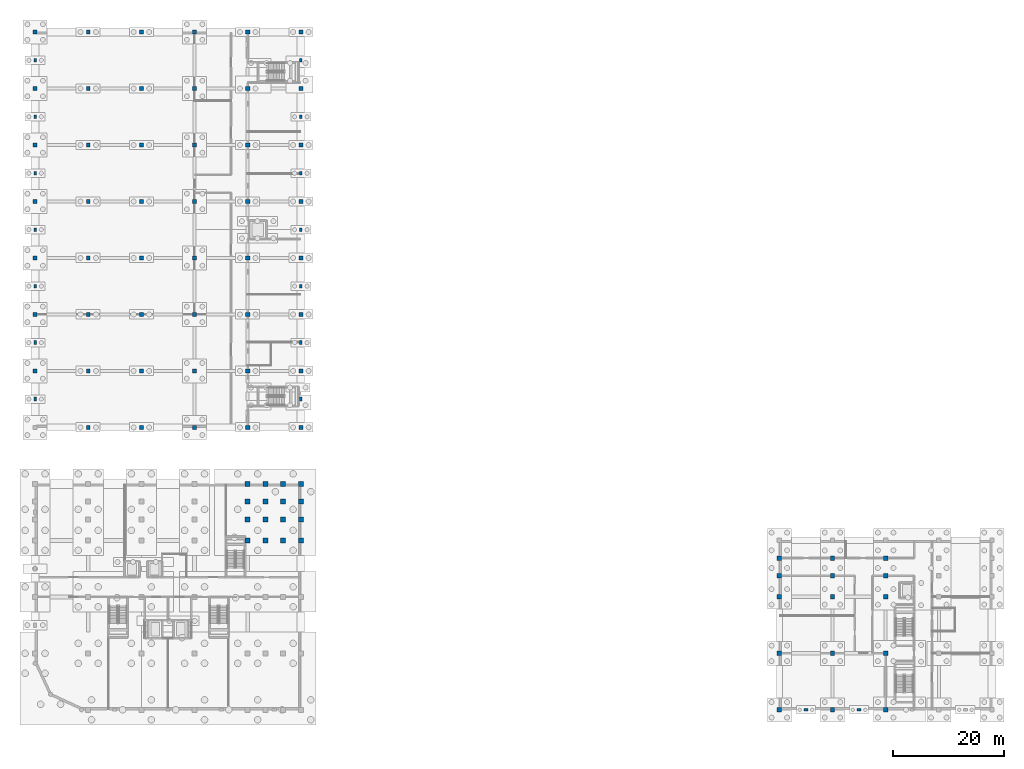
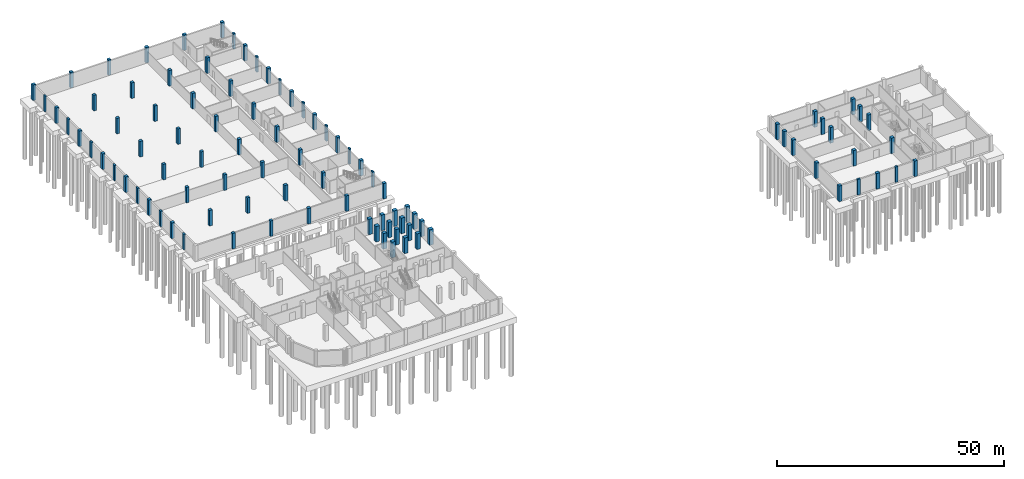
# One storey, part 6 of 18: 94 columns.
"""IFC4 building model written with IfcOpenShell, lengths in metres."""

from ifc_helpers import new_model, si_unit, direction, frame, origin, origin_2d, place, context, subcontext, project, spatial, rectangle, extrude, material, material_profile, profile_set, type_object, element, save


model = new_model("IFC4")

# Units and contexts
model_context = context("Model", 3, precision=1e-05, world=origin(), true_north=direction((0.0, 1.0)))
body_context = subcontext(model_context, "Body", "Model", "MODEL_VIEW")
ifc_project = project(units=[si_unit("LENGTHUNIT", "METRE"), si_unit("AREAUNIT", "SQUARE_METRE"), si_unit("VOLUMEUNIT", "CUBIC_METRE"), si_unit("PLANEANGLEUNIT", "RADIAN"), si_unit("MASSUNIT", "GRAM", prefix="KILO")], contexts=[model_context])

# Site, building, storey
site_placement = place(None, origin())
site = spatial("IfcSite", under=ifc_project, at=site_placement, CompositionType="ELEMENT")
building_placement = place(site_placement, origin())
building = spatial("IfcBuilding", under=site, at=building_placement, Name="Vondelvale Polytechnic", CompositionType="ELEMENT")
storey_placement = place(building_placement, frame((0.0, 0.0, -4.199951171875)))
storey = spatial("IfcBuildingStorey", under=building, at=storey_placement, Name="B1", CompositionType="ELEMENT", Elevation=-4.199951171875)

# Columns
ifc_material = material(Name="Concrete N50 (f'c = 50 MPa)", Category="concrete")
ifc_material_profile_1 = material_profile(ifc_material, rectangle(XDim=0.699951171875, YDim=0.699951171875, at=origin_2d()), Name="RC-COL-700x700")
ifc_profile_set_1 = profile_set([ifc_material_profile_1], Name="Concrete N50 (f'c = 50 MPa)")
column_type_1 = type_object("IfcColumnType", Name="COL-RC700", PredefinedType="COLUMN", material=ifc_profile_set_1)
for number, where, z_axis, x_axis, name in (
    (1, (9.60009765625, 51.0, 0.0), (0.0, 0.0, 1.0), (1.0, 0.0, 0.0), "B1 workshop sub-column (9.6,51.0)"),
    (2, (19.199951171875, 51.0, 0.0), (0.0, 0.0, 1.0), (1.0, 0.0, 0.0), "B1 workshop sub-column (19.2,51.0)"),
    (3, (9.60009765625, 61.199951171875, 0.0), (0.0, 0.0, 1.0), (1.0, 0.0, 0.0), "B1 workshop sub-column (9.6,61.2)"),
    (4, (19.199951171875, 61.199951171875, 0.0), (0.0, 0.0, 1.0), (1.0, 0.0, 0.0), "B1 workshop sub-column (19.2,61.2)"),
    (5, (9.60009765625, 71.39990234375, 0.0), (0.0, 0.0, 1.0), (1.0, 0.0, 0.0), "B1 workshop sub-column (9.6,71.4)"),
    (6, (19.199951171875, 71.39990234375, 0.0), (0.0, 0.0, 1.0), (1.0, 0.0, 0.0), "B1 workshop sub-column (19.2,71.4)"),
    (7, (9.60009765625, 81.60009765625, 0.0), (0.0, 0.0, 1.0), (1.0, 0.0, 0.0), "B1 workshop sub-column (9.6,81.6)"),
    (8, (19.199951171875, 81.60009765625, 0.0), (0.0, 0.0, 1.0), (1.0, 0.0, 0.0), "B1 workshop sub-column (19.2,81.6)"),
    (9, (9.60009765625, 91.800048828125, 0.0), (0.0, 0.0, 1.0), (1.0, 0.0, 0.0), "B1 workshop sub-column (9.6,91.8)"),
    (10, (19.199951171875, 91.800048828125, 0.0), (0.0, 0.0, 1.0), (1.0, 0.0, 0.0), "B1 workshop sub-column (19.2,91.8)"),
    (11, (9.60009765625, 102.0, 0.0), (0.0, 0.0, 1.0), (1.0, 0.0, 0.0), "B1 workshop sub-column (9.6,102.0)"),
    (12, (19.199951171875, 102.0, 0.0), (0.0, 0.0, 1.0), (1.0, 0.0, 0.0), "B1 workshop sub-column (19.2,102.0)"),
    (13, (9.60009765625, 112.199951171875, 0.0), (0.0, 0.0, 1.0), (1.0, 0.0, 0.0), "B1 workshop sub-column (9.6,112.2)"),
    (14, (19.199951171875, 112.199951171875, 0.0), (0.0, 0.0, 1.0), (1.0, 0.0, 0.0), "B1 workshop sub-column (19.2,112.2)"),
    (15, (9.60009765625, 122.39990234375, 0.0), (0.0, 0.0, 1.0), (1.0, 0.0, 0.0), "B1 workshop sub-column (9.6,122.4)"),
    (16, (19.199951171875, 122.39990234375, 0.0), (0.0, 0.0, 1.0), (1.0, 0.0, 0.0), "B1 workshop sub-column (19.2,122.4)"),
):
    element("IfcColumn", number, at=place(storey_placement, frame(where, z_axis=z_axis, x_axis=x_axis)), inside=storey, type_object=column_type_1, Name=name, PredefinedType="COLUMN", context=body_context, shape_type="SweptSolid", body=[
        extrude(rectangle(XDim=0.699951171875, YDim=0.699951171875, at=origin_2d()), origin(), (0.0, 0.0, 1.0), 4.199951171875),
    ])
ifc_material_profile_2 = material_profile(ifc_material, rectangle(XDim=0.75, YDim=0.75, at=origin_2d()), Name="RC-COL-750x750")
ifc_profile_set_2 = profile_set([ifc_material_profile_2], Name="Concrete N50 (f'c = 50 MPa)")
column_type_2 = type_object("IfcColumnType", Name="COL-RC750", PredefinedType="COLUMN", material=ifc_profile_set_2)
for number, where, z_axis, x_axis, name in (
    (17, (28.800048828125, 51.0, 0.0), (0.0, 0.0, 1.0), (1.0, 0.0, 0.0), "B1 workshop column (28.8,51.0)"),
    (18, (38.39990234375, 51.0, 0.0), (0.0, 0.0, 1.0), (1.0, 0.0, 0.0), "B1 workshop column (38.4,51.0)"),
    (19, (48.0, 51.0, 0.0), (0.0, 0.0, 1.0), (1.0, 0.0, 0.0), "B1 workshop column (48.0,51.0)"),
    (20, (0.0, 61.199951171875, 0.0), (0.0, 0.0, 1.0), (1.0, 0.0, 0.0), "B1 workshop column (0.0,61.2)"),
    (21, (28.800048828125, 61.199951171875, 0.0), (0.0, 0.0, 1.0), (1.0, 0.0, 0.0), "B1 workshop column (28.8,61.2)"),
    (22, (38.39990234375, 61.199951171875, 0.0), (0.0, 0.0, 1.0), (1.0, 0.0, 0.0), "B1 workshop column (38.4,61.2)"),
    (23, (48.0, 61.199951171875, 0.0), (0.0, 0.0, 1.0), (1.0, 0.0, 0.0), "B1 workshop column (48.0,61.2)"),
    (24, (0.0, 71.39990234375, 0.0), (0.0, 0.0, 1.0), (1.0, 0.0, 0.0), "B1 workshop column (0.0,71.4)"),
    (25, (28.800048828125, 71.39990234375, 0.0), (0.0, 0.0, 1.0), (1.0, 0.0, 0.0), "B1 workshop column (28.8,71.4)"),
    (26, (38.39990234375, 71.39990234375, 0.0), (0.0, 0.0, 1.0), (1.0, 0.0, 0.0), "B1 workshop column (38.4,71.4)"),
    (27, (48.0, 71.39990234375, 0.0), (0.0, 0.0, 1.0), (1.0, 0.0, 0.0), "B1 workshop column (48.0,71.4)"),
    (28, (0.0, 81.60009765625, 0.0), (0.0, 0.0, 1.0), (1.0, 0.0, 0.0), "B1 workshop column (0.0,81.6)"),
    (29, (28.800048828125, 81.60009765625, 0.0), (0.0, 0.0, 1.0), (1.0, 0.0, 0.0), "B1 workshop column (28.8,81.6)"),
    (30, (38.39990234375, 81.60009765625, 0.0), (0.0, 0.0, 1.0), (1.0, 0.0, 0.0), "B1 workshop column (38.4,81.6)"),
    (31, (48.0, 81.60009765625, 0.0), (0.0, 0.0, 1.0), (1.0, 0.0, 0.0), "B1 workshop column (48.0,81.6)"),
    (32, (0.0, 91.800048828125, 0.0), (0.0, 0.0, 1.0), (1.0, 0.0, 0.0), "B1 workshop column (0.0,91.8)"),
    (33, (28.800048828125, 91.800048828125, 0.0), (0.0, 0.0, 1.0), (1.0, 0.0, 0.0), "B1 workshop column (28.8,91.8)"),
    (34, (38.39990234375, 91.800048828125, 0.0), (0.0, 0.0, 1.0), (1.0, 0.0, 0.0), "B1 workshop column (38.4,91.8)"),
    (35, (48.0, 91.800048828125, 0.0), (0.0, 0.0, 1.0), (1.0, 0.0, 0.0), "B1 workshop column (48.0,91.8)"),
    (36, (0.0, 102.0, 0.0), (0.0, 0.0, 1.0), (1.0, 0.0, 0.0), "B1 workshop column (0.0,102.0)"),
    (37, (28.800048828125, 102.0, 0.0), (0.0, 0.0, 1.0), (1.0, 0.0, 0.0), "B1 workshop column (28.8,102.0)"),
    (38, (38.39990234375, 102.0, 0.0), (0.0, 0.0, 1.0), (1.0, 0.0, 0.0), "B1 workshop column (38.4,102.0)"),
    (39, (48.0, 102.0, 0.0), (0.0, 0.0, 1.0), (1.0, 0.0, 0.0), "B1 workshop column (48.0,102.0)"),
    (40, (0.0, 112.199951171875, 0.0), (0.0, 0.0, 1.0), (1.0, 0.0, 0.0), "B1 workshop column (0.0,112.2)"),
    (41, (28.800048828125, 112.199951171875, 0.0), (0.0, 0.0, 1.0), (1.0, 0.0, 0.0), "B1 workshop column (28.8,112.2)"),
    (42, (38.39990234375, 112.199951171875, 0.0), (0.0, 0.0, 1.0), (1.0, 0.0, 0.0), "B1 workshop column (38.4,112.2)"),
    (43, (48.0, 112.199951171875, 0.0), (0.0, 0.0, 1.0), (1.0, 0.0, 0.0), "B1 workshop column (48.0,112.2)"),
    (44, (0.0, 122.39990234375, 0.0), (0.0, 0.0, 1.0), (1.0, 0.0, 0.0), "B1 workshop column (0.0,122.4)"),
    (45, (28.800048828125, 122.39990234375, 0.0), (0.0, 0.0, 1.0), (1.0, 0.0, 0.0), "B1 workshop column (28.8,122.4)"),
    (46, (38.39990234375, 122.39990234375, 0.0), (0.0, 0.0, 1.0), (1.0, 0.0, 0.0), "B1 workshop column (38.4,122.4)"),
    (47, (48.0, 122.39990234375, 0.0), (0.0, 0.0, 1.0), (1.0, 0.0, 0.0), "B1 workshop column (48.0,122.4)"),
):
    element("IfcColumn", number, at=place(storey_placement, frame(where, z_axis=z_axis, x_axis=x_axis)), inside=storey, type_object=column_type_2, Name=name, PredefinedType="COLUMN", context=body_context, shape_type="SweptSolid", body=[
        extrude(rectangle(XDim=0.75, YDim=0.75, at=origin_2d()), origin(), (0.0, 0.0, 1.0), 4.199951171875),
    ])
ifc_material_profile_3 = material_profile(ifc_material, rectangle(XDim=0.800048828125, YDim=0.800048828125, at=origin_2d()), Name="RC-COL-800x800")
ifc_profile_set_3 = profile_set([ifc_material_profile_3], Name="Concrete N50 (f'c = 50 MPa)")
column_type_3 = type_object("IfcColumnType", Name="COL-RC800", PredefinedType="COLUMN", material=ifc_profile_set_3)
for number, where, z_axis, x_axis, name in (
    (48, (134.39990234375, 0.0, 0.0), (0.0, 0.0, 1.0), (1.0, 0.0, 0.0), "B1 lecture wing column (134.4,0.0)"),
    (49, (134.39990234375, 10.199951171875, 0.0), (0.0, 0.0, 1.0), (1.0, 0.0, 0.0), "B1 lecture wing column (134.4,10.2)"),
    (50, (134.39990234375, 20.39990234375, 0.0), (0.0, 0.0, 1.0), (1.0, 0.0, 0.0), "B1 lecture wing column (134.4,20.4)"),
    (51, (134.39990234375, 24.199951171875, 0.0), (0.0, 0.0, 1.0), (1.0, 0.0, 0.0), "B1 lecture wing column (134.4,24.2)"),
    (52, (134.39990234375, 27.39990234375, 0.0), (0.0, 0.0, 1.0), (1.0, 0.0, 0.0), "B1 lecture wing column (134.4,27.4)"),
    (53, (144.0, 0.0, 0.0), (0.0, 0.0, 1.0), (1.0, 0.0, 0.0), "B1 lecture wing column (144.0,0.0)"),
    (54, (144.0, 10.199951171875, 0.0), (0.0, 0.0, 1.0), (1.0, 0.0, 0.0), "B1 lecture wing column (144.0,10.2)"),
    (55, (144.0, 20.39990234375, 0.0), (0.0, 0.0, 1.0), (1.0, 0.0, 0.0), "B1 lecture wing column (144.0,20.4)"),
    (56, (144.0, 24.199951171875, 0.0), (0.0, 0.0, 1.0), (1.0, 0.0, 0.0), "B1 lecture wing column (144.0,24.2)"),
    (57, (144.0, 27.39990234375, 0.0), (0.0, 0.0, 1.0), (1.0, 0.0, 0.0), "B1 lecture wing column (144.0,27.4)"),
    (58, (153.60009765625, 0.0, 0.0), (0.0, 0.0, 1.0), (1.0, 0.0, 0.0), "B1 lecture wing column (153.6,0.0)"),
    (59, (153.60009765625, 10.199951171875, 0.0), (0.0, 0.0, 1.0), (1.0, 0.0, 0.0), "B1 lecture wing column (153.6,10.2)"),
    (60, (153.60009765625, 20.39990234375, 0.0), (0.0, 0.0, 1.0), (1.0, 0.0, 0.0), "B1 lecture wing column (153.6,20.4)"),
    (61, (153.60009765625, 24.199951171875, 0.0), (0.0, 0.0, 1.0), (1.0, 0.0, 0.0), "B1 lecture wing column (153.6,24.2)"),
    (62, (153.60009765625, 27.39990234375, 0.0), (0.0, 0.0, 1.0), (1.0, 0.0, 0.0), "B1 lecture wing column (153.6,27.4)"),
):
    element("IfcColumn", number, at=place(storey_placement, frame(where, z_axis=z_axis, x_axis=x_axis)), inside=storey, type_object=column_type_3, Name=name, PredefinedType="COLUMN", context=body_context, shape_type="SweptSolid", body=[
        extrude(rectangle(XDim=0.800048828125, YDim=0.800048828125, at=origin_2d()), origin(), (0.0, 0.0, 1.0), 4.199951171875),
    ])
ifc_material_profile_4 = material_profile(ifc_material, rectangle(XDim=0.89990234375, YDim=0.89990234375, at=origin_2d()), Name="RC-COL-900x900")
ifc_profile_set_4 = profile_set([ifc_material_profile_4], Name="Concrete N50 (f'c = 50 MPa)")
column_type_4 = type_object("IfcColumnType", Name="COL-RC900", PredefinedType="COLUMN", material=ifc_profile_set_4)
for number, where, z_axis, x_axis, name in (
    (63, (38.39990234375, 30.60009765625, 0.0), (0.0, 0.0, 1.0), (1.0, 0.0, 0.0), "B1 corner wing column (38.4,30.6)"),
    (64, (38.39990234375, 34.39990234375, 0.0), (0.0, 0.0, 1.0), (1.0, 0.0, 0.0), "B1 corner wing column (38.4,34.4)"),
    (65, (38.39990234375, 37.60009765625, 0.0), (0.0, 0.0, 1.0), (1.0, 0.0, 0.0), "B1 corner wing column (38.4,37.6)"),
    (66, (38.39990234375, 40.800048828125, 0.0), (0.0, 0.0, 1.0), (1.0, 0.0, 0.0), "B1 corner wing column (38.4,40.8)"),
    (67, (41.60009765625, 30.60009765625, 0.0), (0.0, 0.0, 1.0), (1.0, 0.0, 0.0), "B1 corner wing column (41.6,30.6)"),
    (68, (41.60009765625, 34.39990234375, 0.0), (0.0, 0.0, 1.0), (1.0, 0.0, 0.0), "B1 corner wing column (41.6,34.4)"),
    (69, (41.60009765625, 37.60009765625, 0.0), (0.0, 0.0, 1.0), (1.0, 0.0, 0.0), "B1 corner wing column (41.6,37.6)"),
    (70, (41.60009765625, 40.800048828125, 0.0), (0.0, 0.0, 1.0), (1.0, 0.0, 0.0), "B1 corner wing column (41.6,40.8)"),
    (71, (44.800048828125, 30.60009765625, 0.0), (0.0, 0.0, 1.0), (1.0, 0.0, 0.0), "B1 corner wing column (44.8,30.6)"),
    (72, (44.800048828125, 34.39990234375, 0.0), (0.0, 0.0, 1.0), (1.0, 0.0, 0.0), "B1 corner wing column (44.8,34.4)"),
    (73, (44.800048828125, 37.60009765625, 0.0), (0.0, 0.0, 1.0), (1.0, 0.0, 0.0), "B1 corner wing column (44.8,37.6)"),
    (74, (44.800048828125, 40.800048828125, 0.0), (0.0, 0.0, 1.0), (1.0, 0.0, 0.0), "B1 corner wing column (44.8,40.8)"),
    (75, (48.0, 30.60009765625, 0.0), (0.0, 0.0, 1.0), (1.0, 0.0, 0.0), "B1 corner wing column (48.0,30.6)"),
    (76, (48.0, 34.39990234375, 0.0), (0.0, 0.0, 1.0), (1.0, 0.0, 0.0), "B1 corner wing column (48.0,34.4)"),
    (77, (48.0, 37.60009765625, 0.0), (0.0, 0.0, 1.0), (1.0, 0.0, 0.0), "B1 corner wing column (48.0,37.6)"),
    (78, (48.0, 40.800048828125, 0.0), (0.0, 0.0, 1.0), (1.0, 0.0, 0.0), "B1 corner wing column (48.0,40.8)"),
):
    element("IfcColumn", number, at=place(storey_placement, frame(where, z_axis=z_axis, x_axis=x_axis)), inside=storey, type_object=column_type_4, Name=name, PredefinedType="COLUMN", context=body_context, shape_type="SweptSolid", body=[
        extrude(rectangle(XDim=0.89990234375, YDim=0.89990234375, at=origin_2d()), origin(), (0.0, 0.0, 1.0), 4.199951171875),
    ])
ifc_material_profile_5 = material_profile(ifc_material, rectangle(XDim=0.449951171875, YDim=0.699951171875, at=origin_2d()), Name="RC-PIL-700x450")
ifc_profile_set_5 = profile_set([ifc_material_profile_5], Name="Concrete N50 (f'c = 50 MPa)")
column_type_5 = type_object("IfcColumnType", Name="PIL-RC700x450", PredefinedType="PILASTER", material=ifc_profile_set_5)
for number, where, z_axis, x_axis, name in (
    (79, (0.0, 56.10009765625, 0.0), (0.0, 0.0, 1.0), (1.0, 0.0, 0.0), "B1 West workshop brick pilaster 1"),
    (80, (48.0, 56.10009765625, 0.0), (0.0, 0.0, 1.0), (1.0, 0.0, 0.0), "B1 East workshop brick pilaster 1"),
    (81, (0.0, 66.300048828125, 0.0), (0.0, 0.0, 1.0), (1.0, 0.0, 0.0), "B1 West workshop brick pilaster 2"),
    (82, (48.0, 66.300048828125, 0.0), (0.0, 0.0, 1.0), (1.0, 0.0, 0.0), "B1 East workshop brick pilaster 2"),
    (83, (0.0, 76.5, 0.0), (0.0, 0.0, 1.0), (1.0, 0.0, 0.0), "B1 West workshop brick pilaster 3"),
    (84, (48.0, 76.5, 0.0), (0.0, 0.0, 1.0), (1.0, 0.0, 0.0), "B1 East workshop brick pilaster 3"),
    (85, (0.0, 86.699951171875, 0.0), (0.0, 0.0, 1.0), (1.0, 0.0, 0.0), "B1 West workshop brick pilaster 4"),
    (86, (48.0, 86.699951171875, 0.0), (0.0, 0.0, 1.0), (1.0, 0.0, 0.0), "B1 East workshop brick pilaster 4"),
    (87, (0.0, 96.89990234375, 0.0), (0.0, 0.0, 1.0), (1.0, 0.0, 0.0), "B1 West workshop brick pilaster 5"),
    (88, (48.0, 96.89990234375, 0.0), (0.0, 0.0, 1.0), (1.0, 0.0, 0.0), "B1 East workshop brick pilaster 5"),
    (89, (0.0, 107.10009765625, 0.0), (0.0, 0.0, 1.0), (1.0, 0.0, 0.0), "B1 West workshop brick pilaster 6"),
    (90, (48.0, 107.10009765625, 0.0), (0.0, 0.0, 1.0), (1.0, 0.0, 0.0), "B1 East workshop brick pilaster 6"),
    (91, (0.0, 117.300048828125, 0.0), (0.0, 0.0, 1.0), (1.0, 0.0, 0.0), "B1 West workshop brick pilaster 7"),
    (92, (48.0, 117.300048828125, 0.0), (0.0, 0.0, 1.0), (1.0, 0.0, 0.0), "B1 East workshop brick pilaster 7"),
    (93, (139.199951171875, 0.0, 0.0), (0.0, 0.0, 1.0), (0.0, 1.0, 0.0), "B1 Lecture wing South brick pilaster 1"),
    (94, (148.800048828125, 0.0, 0.0), (0.0, 0.0, 1.0), (0.0, 1.0, 0.0), "B1 Lecture wing South brick pilaster 2"),
):
    element("IfcColumn", number, at=place(storey_placement, frame(where, z_axis=z_axis, x_axis=x_axis)), inside=storey, type_object=column_type_5, Name=name, PredefinedType="PILASTER", context=body_context, shape_type="SweptSolid", body=[
        extrude(rectangle(XDim=0.449951171875, YDim=0.699951171875, at=origin_2d()), origin(), (0.0, 0.0, 1.0), 4.199951171875),
    ])

save(model, "model.ifc")
